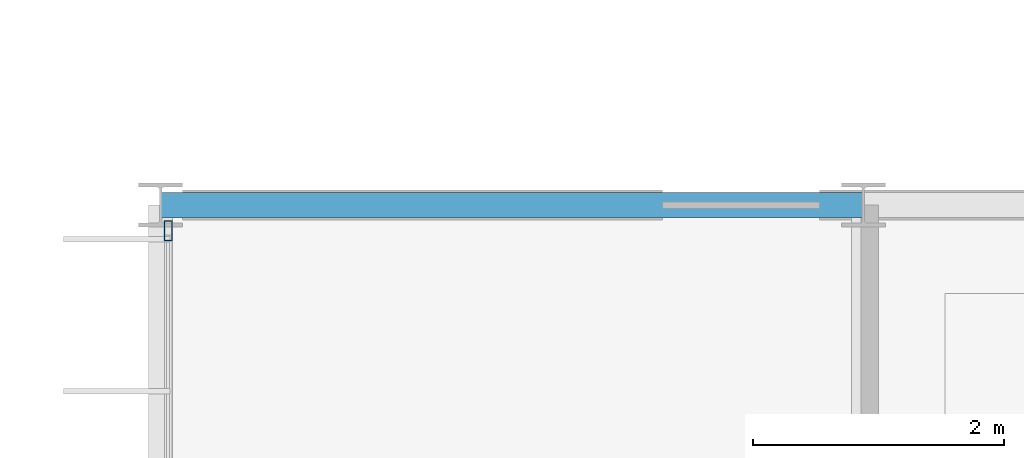
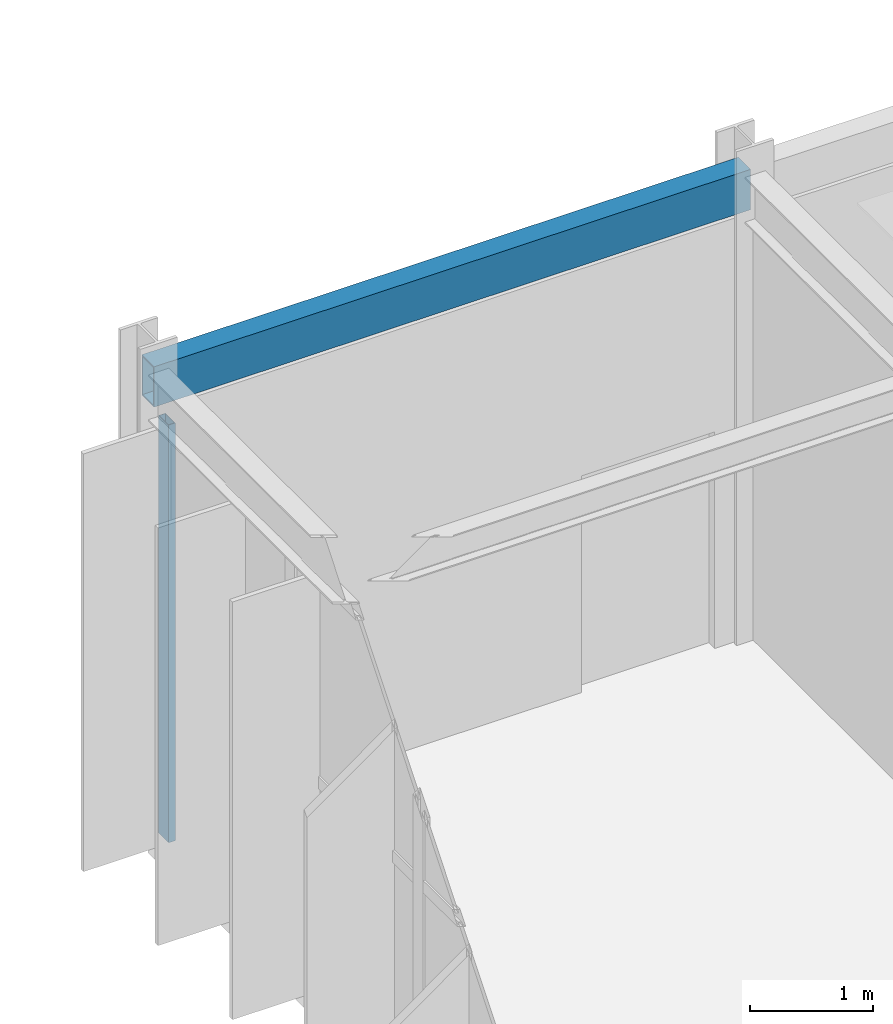
# One storey, part 72 of 144: 1 beam, 1 member, 1 element without a shape of its own.
"""IFC4 building model written with IfcOpenShell, lengths in metres."""

import ifcopenshell
import ifcopenshell.guid

model = None  # the IFC model being written
_history = None  # IfcOwnerHistory: only IFC2X3 demands one
_inside = {}  # id of a spatial element -> (the spatial element, [elements in it])
_under = {}  # id of a project, library or spatial element -> (it, [spatial elements below it])
_declared = {}  # id of a project -> (the project, [libraries it declares])
_typed = {}  # id of a type object -> (the type object, [elements of that type])
_made_of = {}  # id of a material, layer set ... -> (it, [elements and type objects made of it])


def new_model(schema):
    """Start an empty IFC model of exactly this schema.

    Asked for "IFC4X3", IfcOpenShell would pick the latest addendum, in which some entities
    have other attributes; the version numbers below select the first issue.
    IFC2X3 requires an IfcOwnerHistory on every rooted entity: one is made here for all.
    """
    global model, _history
    if schema == "IFC4X3":
        model = ifcopenshell.file(schema_version=(4, 3, 0, 0))
    else:
        model = ifcopenshell.file(schema=schema)
    _inside.clear()
    _under.clear()
    _declared.clear()
    _typed.clear()
    _made_of.clear()
    _history = None
    if model.schema == "IFC2X3":
        org = make("IfcOrganization", Name="unknown")
        user = make(
            "IfcPersonAndOrganization",
            ThePerson=make("IfcPerson", FamilyName="unknown"),
            TheOrganization=org,
        )
        app = make(
            "IfcApplication",
            ApplicationDeveloper=org,
            Version="unknown",
            ApplicationFullName="unknown",
            ApplicationIdentifier="unknown",
        )
        _history = make(
            "IfcOwnerHistory",
            OwningUser=user,
            OwningApplication=app,
            ChangeAction="ADDED",
            CreationDate=0,
        )
    return model


def make(cls, **values):
    """One entity of the class cls with the attributes given. An attribute that is None is left unset."""
    return model.create_entity(
        cls, **{name: value for name, value in values.items() if value is not None}
    )


def rooted(cls, **values):
    """An entity with a GlobalId (a new one), such as an element, a storey or a relation."""
    return make(cls, GlobalId=ifcopenshell.guid.new(), OwnerHistory=_history, **values)


def si_unit(unit_type, name, prefix=None):
    """IfcSIUnit, for example si_unit("LENGTHUNIT", "METRE", prefix="MILLI")."""
    return make("IfcSIUnit", UnitType=unit_type, Prefix=prefix, Name=name)


def assignment(units):
    """IfcUnitAssignment: the units of a project."""
    return None if units is None else make("IfcUnitAssignment", Units=units)


def point(xyz):
    """IfcCartesianPoint."""
    return None if xyz is None else make("IfcCartesianPoint", Coordinates=xyz)


def direction(xyz):
    """IfcDirection."""
    return None if xyz is None else make("IfcDirection", DirectionRatios=xyz)


def frame(location, z_axis=None, x_axis=None):
    """IfcAxis2Placement3D, a coordinate frame: its origin and axes. An axis left out is left unset."""
    return make(
        "IfcAxis2Placement3D",
        Location=point(location),
        Axis=direction(z_axis),
        RefDirection=direction(x_axis),
    )


def frame_2d(location, x_axis=None):
    """IfcAxis2Placement2D, a coordinate frame in the plane: its origin and x axis."""
    return make(
        "IfcAxis2Placement2D", Location=point(location), RefDirection=direction(x_axis)
    )


def origin():
    """The frame at (0, 0, 0) with its axes left unset."""
    return frame((0.0, 0.0, 0.0))


def origin_2d():
    """The frame at (0, 0) in the plane with its x axis left unset."""
    return frame_2d((0.0, 0.0))


def place(relative_to, where):
    """IfcLocalPlacement: puts the frame where relative to a parent placement (None: the world)."""
    return make(
        "IfcLocalPlacement", PlacementRelTo=relative_to, RelativePlacement=where
    )


def context(
    kind, dimensions, precision=None, world=None, true_north=None, identifier=None
):
    """IfcGeometricRepresentationContext, for example the 3D "Model" context."""
    return make(
        "IfcGeometricRepresentationContext",
        ContextIdentifier=identifier,
        ContextType=kind,
        CoordinateSpaceDimension=dimensions,
        Precision=precision,
        WorldCoordinateSystem=world,
        TrueNorth=true_north,
    )


def subcontext(parent, identifier, kind, view, scale=None):
    """IfcGeometricRepresentationSubContext, for example "Body" below "Model"."""
    return make(
        "IfcGeometricRepresentationSubContext",
        ContextIdentifier=identifier,
        ContextType=kind,
        ParentContext=parent,
        TargetScale=scale,
        TargetView=view,
    )


def project(units=None, contexts=None):
    """IfcProject with its units and contexts."""
    return rooted(
        "IfcProject",
        Name="project",
        RepresentationContexts=contexts,
        UnitsInContext=assignment(units),
    )


def spatial(cls, under=None, at=None, **own):
    """A site, building, storey or space (cls), placed at a placement, below another one or the project."""
    s = rooted(cls, ObjectPlacement=at, **own)
    if under is not None:
        _under.setdefault(under.id(), (under, []))[1].append(s)
    return s


def profile(cls, at=None, kind="AREA", **sizes):
    """A parametric profile (cls). Its sizes go by their IFC names, for example OverallWidth=200.0."""
    return make(cls, ProfileType=kind, Position=at, **sizes)


def hollow_rectangle(**sizes):
    """IfcRectangleHollowProfileDef."""
    return profile("IfcRectangleHollowProfileDef", **sizes)


def extrude(swept, where, along, depth):
    """IfcExtrudedAreaSolid: the profile swept, set in the frame where, extruded along a direction by depth."""
    return make(
        "IfcExtrudedAreaSolid",
        SweptArea=swept,
        Position=where,
        ExtrudedDirection=direction(along),
        Depth=depth,
    )


def shape(context_of_items, identifier, shape_type, items):
    """IfcShapeRepresentation: the items that make up one representation, for example the "Body"."""
    return make(
        "IfcShapeRepresentation",
        ContextOfItems=context_of_items,
        RepresentationIdentifier=identifier,
        RepresentationType=shape_type,
        Items=items,
    )


def material(Name=None, Category=None):
    """IfcMaterial."""
    return make("IfcMaterial", Name=Name, Category=Category)


def material_profile(
    of_material, cross_section, Name=None, Category=None, Priority=None
):
    """IfcMaterialProfile: a cross section and its material."""
    return make(
        "IfcMaterialProfile",
        Name=Name,
        Material=of_material,
        Profile=cross_section,
        Priority=Priority,
        Category=Category,
    )


def profile_set(profiles, Name=None, composite=None):
    """IfcMaterialProfileSet."""
    return make(
        "IfcMaterialProfileSet",
        Name=Name,
        MaterialProfiles=profiles,
        CompositeProfile=composite,
    )


def made_of(thing, what):
    """Note that an element or type object is made of a material, layer set ...; save() writes the relation."""
    if what is not None:
        _made_of.setdefault(what.id(), (what, []))[1].append(thing)
    return thing


def type_object(cls, material=None, **own):
    """A type object (cls), such as IfcWallType, which elements share."""
    return made_of(rooted(cls, **own), material)


def element(
    cls,
    number,
    at=None,
    inside=None,
    cuts=None,
    type_object=None,
    material=None,
    context=None,
    identifier="Body",
    shape_type=None,
    held_by="IfcProductDefinitionShape",
    body=None,
    shapes=None,
    **own,
):
    """One element of the class cls, such as IfcWall. Its Tag is "e" and its number.

    at: its placement. inside: the storey or other place that contains it. cuts: it is an
    opening in that element (IfcRelVoidsElement). A single representation is given by context,
    identifier, shape_type and body (its items); several are given by shapes. held_by: the class
    of the entity that holds the representations. save() writes the other relations.
    """
    e = rooted(cls, Tag="e%d" % number, ObjectPlacement=at, **own)
    if body is not None:
        shapes = [shape(context, identifier, shape_type, body)]
    if shapes is not None:
        e.Representation = make(held_by, Representations=shapes)
    if inside is not None:
        _inside.setdefault(inside.id(), (inside, []))[1].append(e)
    if cuts is not None:
        rooted(
            "IfcRelVoidsElement", RelatingBuildingElement=cuts, RelatedOpeningElement=e
        )
    if type_object is not None:
        _typed.setdefault(type_object.id(), (type_object, []))[1].append(e)
    return made_of(e, material)


def aggregate(whole, parts):
    """IfcRelAggregates: a whole, such as a stair, and the parts it consists of."""
    return rooted("IfcRelAggregates", RelatingObject=whole, RelatedObjects=parts)


def save(model, path):
    """Write the relations noted so far, then the file.

    IfcRelAggregates (storeys below a building ...), IfcRelContainedInSpatialStructure (elements
    in a storey), IfcRelDefinesByType, IfcRelAssociatesMaterial and IfcRelDeclares: one each for
    every whole, place, type object, material and project.
    """
    for whole, parts in _under.values():
        aggregate(whole, parts)
    for where, things in _inside.values():
        rooted(
            "IfcRelContainedInSpatialStructure",
            RelatedElements=things,
            RelatingStructure=where,
        )
    for kind, things in _typed.values():
        rooted("IfcRelDefinesByType", RelatedObjects=things, RelatingType=kind)
    for what, things in _made_of.values():
        rooted("IfcRelAssociatesMaterial", RelatedObjects=things, RelatingMaterial=what)
    for by, libraries in _declared.values():
        rooted("IfcRelDeclares", RelatingContext=by, RelatedDefinitions=libraries)
    model.write(path)


model = new_model("IFC4")

# Units and contexts
model_context = context("Model", 3, precision=1e-05, world=origin(), true_north=direction((0.0, 1.0)))
body_context = subcontext(model_context, "Body", "Model", "MODEL_VIEW")
ifc_project = project(units=[si_unit("LENGTHUNIT", "METRE"), si_unit("AREAUNIT", "SQUARE_METRE"), si_unit("VOLUMEUNIT", "CUBIC_METRE"), si_unit("PLANEANGLEUNIT", "RADIAN"), si_unit("MASSUNIT", "GRAM", prefix="KILO")], contexts=[model_context])

# Site, building, storey
site_placement = place(None, origin())
site = spatial("IfcSite", under=ifc_project, at=site_placement, CompositionType="ELEMENT")
building_placement = place(site_placement, origin())
building = spatial("IfcBuilding", under=site, at=building_placement, Name="Karori Crest Natural Sciences Institute", CompositionType="ELEMENT")
storey_placement = place(building_placement, origin())
storey = spatial("IfcBuildingStorey", under=building, at=storey_placement, Name="L00", CompositionType="ELEMENT", Elevation=0.0)

# Beam
ifc_material_1 = material(Name="Hollow structural steel AS/NZS 1163 Grade C350", Category="steel")
ifc_material_profile_1 = material_profile(ifc_material_1, hollow_rectangle(XDim=0.199951171875, YDim=0.39990234375, WallThickness=0.012451171875, at=origin_2d()), Name="RHS400x200x12.5")
ifc_profile_set_1 = profile_set([ifc_material_profile_1], Name="Hollow structural steel AS/NZS 1163 Grade C350")
beam_type = type_object("IfcBeamType", Name="BT-14", PredefinedType="SPANDREL", material=ifc_profile_set_1)
beam_placement = place(storey_placement, frame((1.800048828125, 73.39990234375, 4.419921875), z_axis=(1.0, 0.0, 0.0), x_axis=(0.0, 1.0, 0.0)))
element("IfcBeam", 1, at=beam_placement, inside=storey, type_object=beam_type, Name="Beam B-0957", PredefinedType="SPANDREL", context=body_context, shape_type="SweptSolid", body=[
    extrude(hollow_rectangle(XDim=0.199951171875, YDim=0.39990234375, WallThickness=0.012451171875, at=origin_2d()), origin(), (0.0, 0.0, 1.0), 5.599853515625),
])

# Curtain wall, member
ifc_material_2 = material(Name="Anodised architectural aluminium 6063-T6", Category="aluminium")
curtain_wall_type = type_object("IfcCurtainWallType", Name="CWT-17", PredefinedType="NOTDEFINED", material=ifc_material_2)
curtain_wall_placement = place(storey_placement, origin())
curtain_wall = element("IfcCurtainWall", 2, at=curtain_wall_placement, inside=storey, type_object=curtain_wall_type, Name="Curtain wall CW-0258", PredefinedType="NOTDEFINED")
ifc_material_profile_2 = material_profile(ifc_material_2, hollow_rectangle(XDim=0.06494140625, YDim=0.159912109375, WallThickness=0.00390625, at=origin_2d()), Name="CWM160x65x4")
ifc_profile_set_2 = profile_set([ifc_material_profile_2], Name="Anodised architectural aluminium 6063-T6")
member_type = type_object("IfcMemberType", Name="CWM-01", PredefinedType="MULLION", material=ifc_profile_set_2)
member_placement = place(storey_placement, frame((1.860107421875, 73.194580078125, 0.0), z_axis=(0.0, 0.0, 1.0), x_axis=(-1.0, 0.0, 0.0)))
member = element("IfcMember", 3, at=member_placement, type_object=member_type, Name="CW-0258 mullion 4", PredefinedType="MULLION", context=body_context, shape_type="SweptSolid", body=[
    extrude(hollow_rectangle(XDim=0.06494140625, YDim=0.159912109375, WallThickness=0.00390625, at=origin_2d()), origin(), (0.0, 0.0, 1.0), 4.14501953125),
])
aggregate(curtain_wall, [member])

save(model, "model.ifc")
